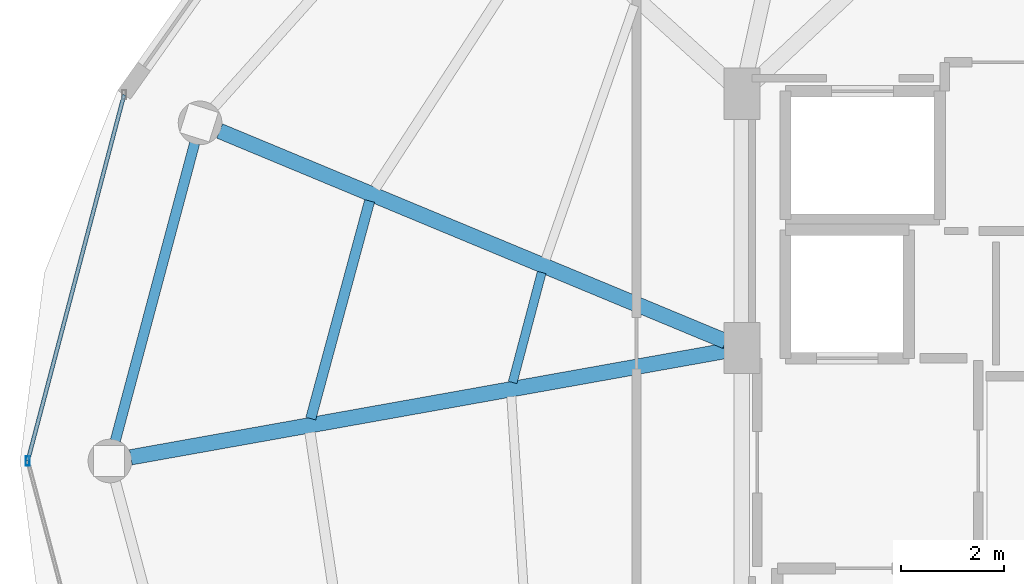
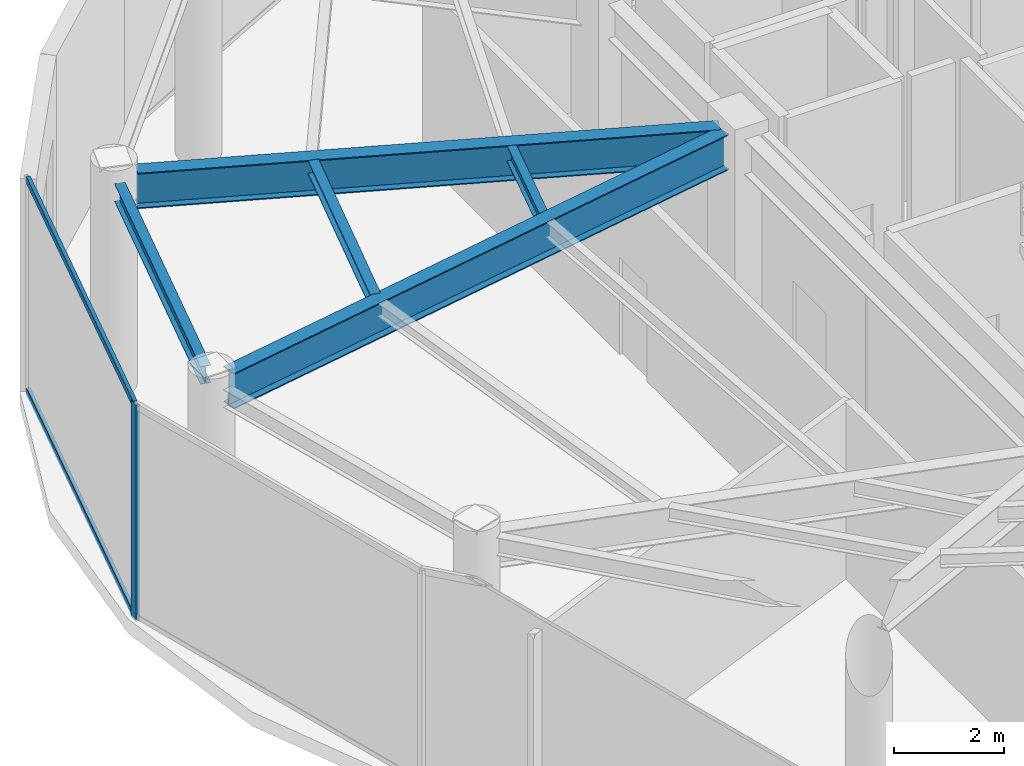
# One storey, part 7 of 24: 5 beams, 3 members, 1 element without a shape of its own.
"""IFC4 building model written with IfcOpenShell, lengths in metres."""

from ifc_helpers import new_model, si_unit, direction, frame, origin, origin_2d, place, context, subcontext, project, spatial, hollow_rectangle, i_section, extrude, material, material_profile, profile_set, type_object, element, aggregate, save


model = new_model("IFC4")

# Units and contexts
model_context = context("Model", 3, precision=1e-05, world=origin(), true_north=direction((0.0, 1.0)))
body_context = subcontext(model_context, "Body", "Model", "MODEL_VIEW")
ifc_project = project(units=[si_unit("LENGTHUNIT", "METRE"), si_unit("AREAUNIT", "SQUARE_METRE"), si_unit("VOLUMEUNIT", "CUBIC_METRE"), si_unit("PLANEANGLEUNIT", "RADIAN"), si_unit("MASSUNIT", "GRAM", prefix="KILO")], contexts=[model_context])

# Site, building, storey
site_placement = place(None, origin())
site = spatial("IfcSite", under=ifc_project, at=site_placement, CompositionType="ELEMENT")
building_placement = place(site_placement, origin())
building = spatial("IfcBuilding", under=site, at=building_placement, Name="Vorneva Point Tower", CompositionType="ELEMENT")
storey_placement = place(building_placement, frame((0.0, 0.0, 290.39990234375)))
storey = spatial("IfcBuildingStorey", under=building, at=storey_placement, Name="L78", CompositionType="ELEMENT", Elevation=290.39990234375)

# Beams
ifc_material_1 = material(Name="Steel S355", Category="steel")
ifc_material_profile_1 = material_profile(ifc_material_1, i_section(OverallWidth=0.300048828125, OverallDepth=0.7880859375, WebThickness=0.014404296875, FlangeThickness=0.02197265625, at=origin_2d()), Name="80Sh1")
ifc_profile_set_1 = profile_set([ifc_material_profile_1], Name="Steel S355")
beam_type_1 = type_object("IfcBeamType", Name="BM-GRD-80Sh1", PredefinedType="USERDEFINED", material=ifc_profile_set_1)
beam_1_placement = place(storey_placement, frame((17.0859375, 32.423583984375, 4.326171875), z_axis=(0.923448932068, -0.383721344027, 0.0), x_axis=(0.383721344027, 0.923448932068, 0.0)))
element("IfcBeam", 1, at=beam_1_placement, inside=storey, type_object=beam_type_1, Name="L78 Radial Primary Girder 08", ObjectType="GIRDER", PredefinedType="USERDEFINED", context=body_context, shape_type="SweptSolid", body=[
    extrude(i_section(OverallWidth=0.300048828125, OverallDepth=0.7880859375, WebThickness=0.014404296875, FlangeThickness=0.02197265625, at=origin_2d()), origin(), (0.0, 0.0, 1.0), 10.666748046875),
])
beam_2_placement = place(storey_placement, frame((15.3564453125, 26.07275390625, 4.326171875), z_axis=(0.9843788355, 0.17606336422, 0.0), x_axis=(-0.17606336422, 0.9843788355, 0.0)))
element("IfcBeam", 2, at=beam_2_placement, inside=storey, type_object=beam_type_1, Name="L78 Radial Primary Girder 09", ObjectType="GIRDER", PredefinedType="USERDEFINED", context=body_context, shape_type="SweptSolid", body=[
    extrude(i_section(OverallWidth=0.300048828125, OverallDepth=0.7880859375, WebThickness=0.014404296875, FlangeThickness=0.02197265625, at=origin_2d()), origin(), (0.0, 0.0, 1.0), 11.7421875),
])
ifc_material_profile_2 = material_profile(ifc_material_1, i_section(OverallWidth=0.199951171875, OverallDepth=0.291015625, WebThickness=0.008056640625, FlangeThickness=0.010986328125, at=origin_2d()), Name="30Sh1")
ifc_profile_set_2 = profile_set([ifc_material_profile_2], Name="Steel S355")
beam_type_2 = type_object("IfcBeamType", Name="BM-SEC-30Sh1", PredefinedType="BEAM", material=ifc_profile_set_2)
beam_3_placement = place(storey_placement, frame((20.0048828125, 31.0625, 4.57470703125), z_axis=(-0.260871190305, -0.965373617865, 0.0), x_axis=(0.965373617865, -0.260871190305, 0.0)))
element("IfcBeam", 3, at=beam_3_placement, inside=storey, type_object=beam_type_2, Name="L78 Secondary Floor Beam 1.08", PredefinedType="BEAM", context=body_context, shape_type="SweptSolid", body=[
    extrude(i_section(OverallWidth=0.199951171875, OverallDepth=0.291015625, WebThickness=0.008056640625, FlangeThickness=0.010986328125, at=origin_2d()), origin(), (0.0, 0.0, 1.0), 4.38818359375),
])
ifc_material_profile_3 = material_profile(ifc_material_1, i_section(OverallWidth=0.174072265625, OverallDepth=0.345947265625, WebThickness=0.006103515625, FlangeThickness=0.009033203125, at=origin_2d()), Name="35B1")
ifc_profile_set_3 = profile_set([ifc_material_profile_3], Name="Steel S355")
beam_type_3 = type_object("IfcBeamType", Name="BM-SEC-35B1", PredefinedType="BEAM", material=ifc_profile_set_3)
beam_4_placement = place(storey_placement, frame((23.354736328125, 29.670654296875, 4.547119140625), z_axis=(-0.255301687394, -0.9668614422, 0.0), x_axis=(0.9668614422, -0.255301687394, 0.0)))
element("IfcBeam", 4, at=beam_4_placement, inside=storey, type_object=beam_type_3, Name="L78 Secondary Floor Beam 2.08", PredefinedType="BEAM", context=body_context, shape_type="SweptSolid", body=[
    extrude(i_section(OverallWidth=0.174072265625, OverallDepth=0.345947265625, WebThickness=0.006103515625, FlangeThickness=0.009033203125, at=origin_2d()), origin(), (0.0, 0.0, 1.0), 2.21484375),
])
ifc_material_profile_4 = material_profile(ifc_material_1, i_section(OverallWidth=0.198974609375, OverallDepth=0.39599609375, WebThickness=0.007080078125, FlangeThickness=0.010986328125, at=origin_2d()), Name="40B1")
ifc_profile_set_4 = profile_set([ifc_material_profile_4], Name="Steel S355")
beam_type_4 = type_object("IfcBeamType", Name="BM-SPN-40B1", PredefinedType="SPANDREL", material=ifc_profile_set_4)
beam_5_placement = place(storey_placement, frame((16.59912109375, 32.18603515625, 4.522216796875), z_axis=(-0.257586570866, -0.966255224312, 0.0), x_axis=(0.966255224312, -0.257586570866, 0.0)))
element("IfcBeam", 5, at=beam_5_placement, inside=storey, type_object=beam_type_4, Name="L78 Perimeter Spandrel Ring Beam 08", PredefinedType="SPANDREL", context=body_context, shape_type="SweptSolid", body=[
    extrude(i_section(OverallWidth=0.198974609375, OverallDepth=0.39599609375, WebThickness=0.007080078125, FlangeThickness=0.010986328125, at=origin_2d()), origin(), (0.0, 0.0, 1.0), 5.991943359375),
])

# Curtain wall, members
ifc_material_2 = material(Name="Pale anodised aluminium", Category="aluminium")
curtain_wall_type = type_object("IfcCurtainWallType", Name="CW-OBS-SYS", PredefinedType="NOTDEFINED", material=ifc_material_2)
curtain_wall_placement = place(storey_placement, origin())
curtain_wall = element("IfcCurtainWall", 6, at=curtain_wall_placement, inside=storey, type_object=curtain_wall_type, Name="L78 Unitised Curtain Wall CW-L78-R03", PredefinedType="NOTDEFINED")
ifc_material_profile_5 = material_profile(ifc_material_2, hollow_rectangle(XDim=0.074951171875, YDim=0.179931640625, WallThickness=0.00390625, at=origin_2d()), Name="AL-MUL 180x75x4")
ifc_profile_set_5 = profile_set([ifc_material_profile_5], Name="Pale anodised aluminium")
member_type_1 = type_object("IfcMemberType", Name="CW-MUL-180", PredefinedType="MULLION", material=ifc_profile_set_5)
member_1_placement = place(storey_placement, frame((13.35009765625, 26.0, -0.039794921875), z_axis=(0.0, 0.0, 1.0), x_axis=(1.0, 0.0, 0.0)))
member_1 = element("IfcMember", 7, at=member_1_placement, type_object=member_type_1, Name="CW-L78-R03 Mullion 02", PredefinedType="MULLION", context=body_context, shape_type="SweptSolid", body=[
    extrude(hollow_rectangle(XDim=0.074951171875, YDim=0.179931640625, WallThickness=0.00390625, at=origin_2d()), origin(), (0.0, 0.0, 1.0), 4.789794921875),
])
ifc_material_profile_6 = material_profile(ifc_material_2, hollow_rectangle(XDim=0.074951171875, YDim=0.14990234375, WallThickness=0.00390625, at=origin_2d()), Name="AL-TRN 150x75x4")
ifc_profile_set_6 = profile_set([ifc_material_profile_6], Name="Pale anodised aluminium")
member_type_2 = type_object("IfcMemberType", Name="CW-TRN-150", PredefinedType="USERDEFINED", material=ifc_profile_set_6)
member_2_placement = place(storey_placement, frame((15.226318359375, 33.12939453125, 0.02001953125), z_axis=(-0.254501449741, -0.967072392368, 0.0), x_axis=(0.967072392368, -0.254501449741, 0.0)))
member_2 = element("IfcMember", 8, at=member_2_placement, type_object=member_type_2, Name="CW-L78-R03 Transom 01.1", ObjectType="TRANSOM", PredefinedType="USERDEFINED", context=body_context, shape_type="SweptSolid", body=[
    extrude(hollow_rectangle(XDim=0.074951171875, YDim=0.14990234375, WallThickness=0.00390625, at=origin_2d()), origin(), (0.0, 0.0, 1.0), 7.3720703125),
])
member_3_placement = place(storey_placement, frame((15.226318359375, 33.12939453125, 4.7001953125), z_axis=(-0.254501449741, -0.967072392368, 0.0), x_axis=(0.967072392368, -0.254501449741, 0.0)))
member_3 = element("IfcMember", 9, at=member_3_placement, type_object=member_type_2, Name="CW-L78-R03 Transom 01.2", ObjectType="TRANSOM", PredefinedType="USERDEFINED", context=body_context, shape_type="SweptSolid", body=[
    extrude(hollow_rectangle(XDim=0.074951171875, YDim=0.14990234375, WallThickness=0.00390625, at=origin_2d()), origin(), (0.0, 0.0, 1.0), 7.3720703125),
])
aggregate(curtain_wall, [member_1, member_2, member_3])

save(model, "model.ifc")
